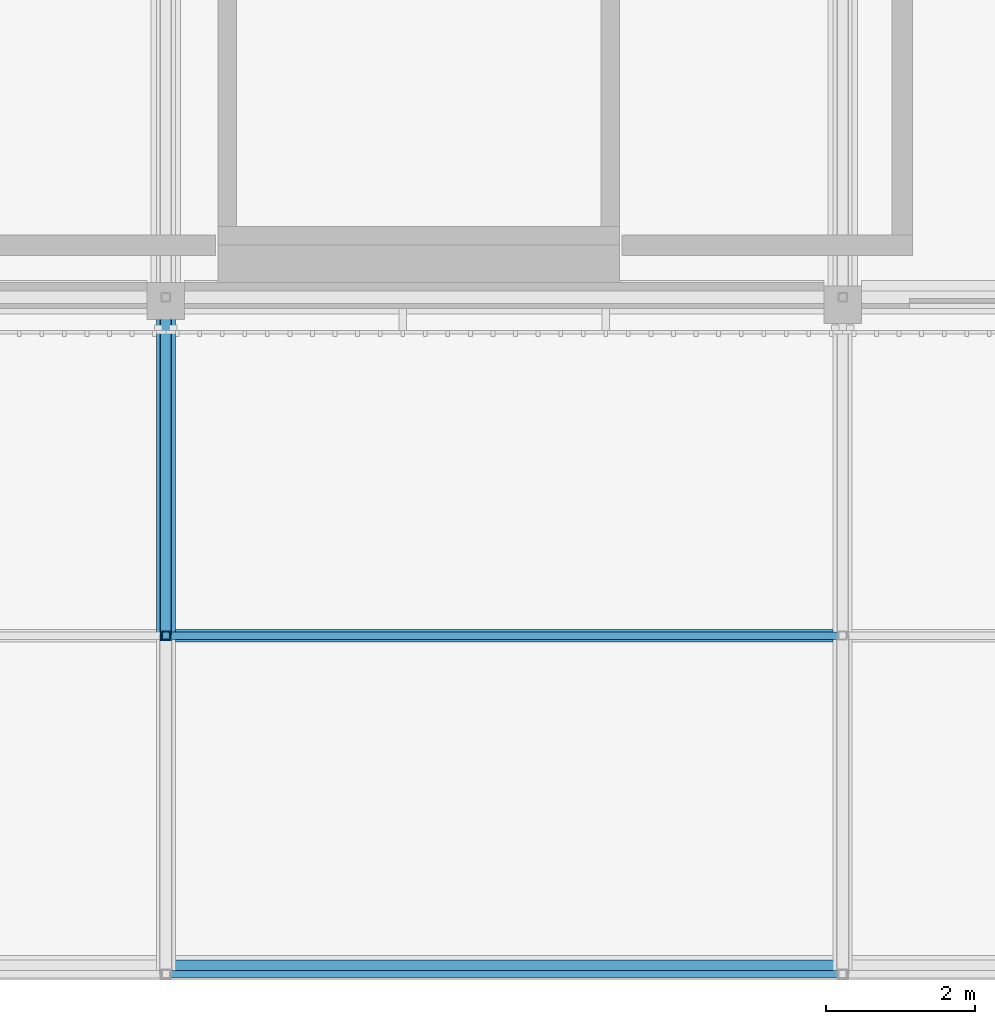
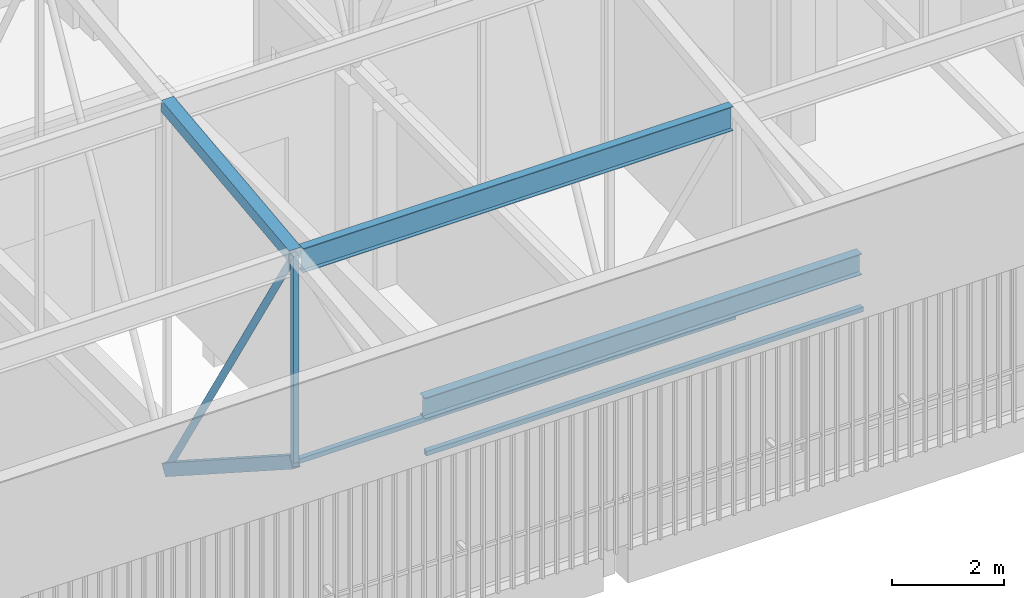
# One storey, part 8 of 500: 8 members.
"""IFC4 building model written with IfcOpenShell, lengths in metres."""

from ifc_helpers import new_model, si_unit, direction, frame, origin, origin_2d, place, context, subcontext, project, spatial, hollow_rectangle, hollow_circle, i_section, extrude, material, material_profile, profile_set, type_object, element, save


model = new_model("IFC4")

# Units and contexts
model_context = context("Model", 3, precision=1e-05, world=origin(), true_north=direction((0.0, 1.0)))
body_context = subcontext(model_context, "Body", "Model", "MODEL_VIEW")
ifc_project = project(units=[si_unit("LENGTHUNIT", "METRE"), si_unit("AREAUNIT", "SQUARE_METRE"), si_unit("VOLUMEUNIT", "CUBIC_METRE"), si_unit("PLANEANGLEUNIT", "RADIAN"), si_unit("MASSUNIT", "GRAM", prefix="KILO")], contexts=[model_context])

# Site, building, storey
site_placement = place(None, origin())
site = spatial("IfcSite", under=ifc_project, at=site_placement, CompositionType="ELEMENT")
building_placement = place(site_placement, origin())
building = spatial("IfcBuilding", under=site, at=building_placement, Name="Shirokan Park Arena", CompositionType="ELEMENT")
storey_placement = place(building_placement, frame((0.0, 0.0, 29.1201171875)))
storey = spatial("IfcBuildingStorey", under=building, at=storey_placement, Name="L06", CompositionType="ELEMENT", Elevation=29.1201171875)

# Members
ifc_material_1 = material(Name="Steel ASTM A500 Grade C", Category="steel")
ifc_material_profile_1 = material_profile(ifc_material_1, hollow_rectangle(XDim=0.152099609375, YDim=0.25390625, WallThickness=0.009521484375, at=origin_2d()), Name="HSS254X152.4X9.5")
ifc_profile_set_1 = profile_set([ifc_material_profile_1], Name="Steel ASTM A500 Grade C")
member_type_1 = type_object("IfcMemberType", Name="Bottom chord HSS254X152.4X9.5", PredefinedType="CHORD", material=ifc_profile_set_1)
member_1_placement = place(storey_placement, frame((18.199951171875, -4.550048828125, 7.6044921875), z_axis=(0.0, 0.840971691661, -0.541079119746), x_axis=(-1.0, 0.0, 0.0)))
element("IfcMember", 1, at=member_1_placement, inside=storey, type_object=member_type_1, Name="Truss T03 bottom chord 2", PredefinedType="CHORD", context=body_context, shape_type="SweptSolid", body=[
    extrude(hollow_rectangle(XDim=0.152099609375, YDim=0.25390625, WallThickness=0.009521484375, at=origin_2d()), origin(), (0.0, 0.0, 1.0), 5.410400390625),
])
ifc_material_profile_2 = material_profile(ifc_material_1, hollow_rectangle(XDim=0.10205078125, YDim=0.10205078125, WallThickness=0.00634765625, at=origin_2d()), Name="HSS101.6X101.6X6.4")
ifc_profile_set_2 = profile_set([ifc_material_profile_2], Name="Steel ASTM A500 Grade C")
member_type_2 = type_object("IfcMemberType", Name="Eave soffit rail HSS101.6X101.6X6.4", PredefinedType="USERDEFINED", material=ifc_profile_set_2)
for number, where, z_axis, x_axis, name in (
    (2, (18.257080078125, -9.10009765625, 10.531982421875), (1.0, 0.0, 0.0), (0.0, 1.0, 0.0), "Eave soffit rail S 1 bay 3"),
    (3, (18.257080078125, -4.550048828125, 7.6044921875), (1.0, 0.0, 0.0), (0.0, 1.0, 0.0), "Eave soffit rail S 2 bay 3"),
):
    element("IfcMember", number, at=place(storey_placement, frame(where, z_axis=z_axis, x_axis=x_axis)), inside=storey, type_object=member_type_2, Name=name, ObjectType="EAVE SOFFIT RAIL", PredefinedType="USERDEFINED", context=body_context, shape_type="SweptSolid", body=[
        extrude(hollow_rectangle(XDim=0.10205078125, YDim=0.10205078125, WallThickness=0.00634765625, at=origin_2d()), origin(), (0.0, 0.0, 1.0), 8.98583984375),
    ])
ifc_material_2 = material(Name="Steel ASTM A992", Category="steel")
ifc_material_profile_3 = material_profile(ifc_material_2, i_section(OverallWidth=0.166015625, OverallDepth=0.528076171875, WebThickness=0.009765625, FlangeThickness=0.013671875, at=origin_2d()), Name="W530X74")
ifc_profile_set_3 = profile_set([ifc_material_profile_3], Name="Steel ASTM A992")
member_type_3 = type_object("IfcMemberType", Name="Purlin W530X74", PredefinedType="PURLIN", material=ifc_profile_set_3)
member_2_placement = place(storey_placement, frame((18.326904296875, -4.550048828125, 11.9658203125), z_axis=(1.0, 0.0, 0.0), x_axis=(0.0, 1.0, 0.0)))
element("IfcMember", 4, at=member_2_placement, inside=storey, type_object=member_type_3, Name="Purlin 2 bay 3", PredefinedType="PURLIN", context=body_context, shape_type="SweptSolid", body=[
    extrude(i_section(OverallWidth=0.166015625, OverallDepth=0.528076171875, WebThickness=0.009765625, FlangeThickness=0.013671875, at=origin_2d()), origin(), (0.0, 0.0, 1.0), 8.84619140625),
])
ifc_material_profile_4 = material_profile(ifc_material_2, i_section(OverallWidth=0.19091796875, OverallDepth=0.45703125, WebThickness=0.009033203125, FlangeThickness=0.014404296875, at=origin_2d()), Name="W460X74")
ifc_profile_set_4 = profile_set([ifc_material_profile_4], Name="Steel ASTM A992")
member_type_4 = type_object("IfcMemberType", Name="Roof edge beam W460X74", PredefinedType="USERDEFINED", material=ifc_profile_set_4)
member_3_placement = place(storey_placement, frame((18.257080078125, -9.00439453125, 11.4814453125), z_axis=(1.0, 0.0, 0.0), x_axis=(0.0, 1.0, 0.0)))
element("IfcMember", 5, at=member_3_placement, inside=storey, type_object=member_type_4, Name="Roof edge beam S 4", ObjectType="ROOF EDGE BEAM", PredefinedType="USERDEFINED", context=body_context, shape_type="SweptSolid", body=[
    extrude(i_section(OverallWidth=0.19091796875, OverallDepth=0.45703125, WebThickness=0.009033203125, FlangeThickness=0.014404296875, at=origin_2d()), origin(), (0.0, 0.0, 1.0), 8.98583984375),
])
ifc_material_profile_5 = material_profile(ifc_material_1, hollow_rectangle(XDim=0.25390625, YDim=0.25390625, WallThickness=0.009521484375, at=origin_2d()), Name="HSS254X254X9.5")
ifc_profile_set_5 = profile_set([ifc_material_profile_5], Name="Steel ASTM A500 Grade C")
member_type_5 = type_object("IfcMemberType", Name="Top chord HSS254X254X9.5", PredefinedType="CHORD", material=ifc_profile_set_5)
member_4_placement = place(storey_placement, frame((18.199951171875, -4.550048828125, 12.102783203125), z_axis=(0.0, 0.993532328996, 0.113549598152), x_axis=(-1.0, 0.0, 0.0)))
element("IfcMember", 6, at=member_4_placement, inside=storey, type_object=member_type_5, Name="Truss T03 top chord 2", PredefinedType="CHORD", context=body_context, shape_type="SweptSolid", body=[
    extrude(hollow_rectangle(XDim=0.25390625, YDim=0.25390625, WallThickness=0.009521484375, at=origin_2d()), origin(), (0.0, 0.0, 1.0), 4.57958984375),
])
ifc_material_profile_6 = material_profile(ifc_material_1, hollow_circle(Radius=0.070556640625, WallThickness=0.006591796875, at=origin_2d()), Name="HSS141.3X6.6")
ifc_profile_set_6 = profile_set([ifc_material_profile_6], Name="Steel ASTM A500 Grade C")
member_type_6 = type_object("IfcMemberType", Name="Truss diagonal HSS141.3X6.6", PredefinedType="BRACE", material=ifc_profile_set_6)
member_5_placement = place(storey_placement, frame((18.199951171875, -4.550048828125, 12.102783203125), z_axis=(0.0, 0.522458847856, -0.852664501605), x_axis=(-1.0, 0.0, 0.0)))
element("IfcMember", 7, at=member_5_placement, inside=storey, type_object=member_type_6, Name="Truss T03 diagonal 2", PredefinedType="BRACE", context=body_context, shape_type="SweptSolid", body=[
    extrude(hollow_circle(Radius=0.070556640625, WallThickness=0.006591796875, at=origin_2d()), origin(), (0.0, 0.0, 1.0), 8.708984375),
])
ifc_material_profile_7 = material_profile(ifc_material_1, hollow_rectangle(XDim=0.114013671875, YDim=0.114013671875, WallThickness=0.00634765625, at=origin_2d()), Name="HSS114.3X114.3X6.4")
ifc_profile_set_7 = profile_set([ifc_material_profile_7], Name="Steel ASTM A500 Grade C")
member_type_7 = type_object("IfcMemberType", Name="Truss post HSS114.3X114.3X6.4", PredefinedType="POST", material=ifc_profile_set_7)
member_6_placement = place(storey_placement, frame((18.199951171875, -4.550048828125, 7.6044921875), z_axis=(0.0, 0.0, 1.0), x_axis=(1.0, 0.0, 0.0)))
element("IfcMember", 8, at=member_6_placement, inside=storey, type_object=member_type_7, Name="Truss T03 post 2", PredefinedType="POST", context=body_context, shape_type="SweptSolid", body=[
    extrude(hollow_rectangle(XDim=0.114013671875, YDim=0.114013671875, WallThickness=0.00634765625, at=origin_2d()), origin(), (0.0, 0.0, 1.0), 4.498291015625),
])

save(model, "model.ifc")
